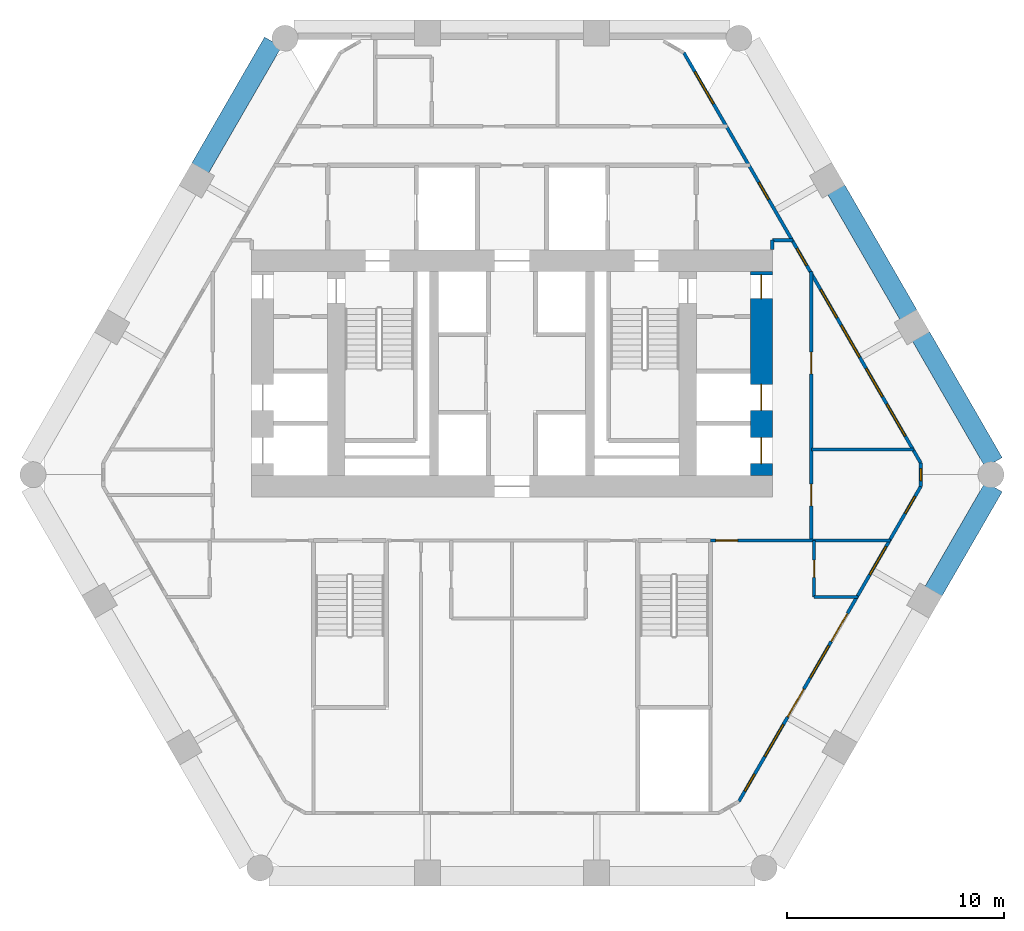
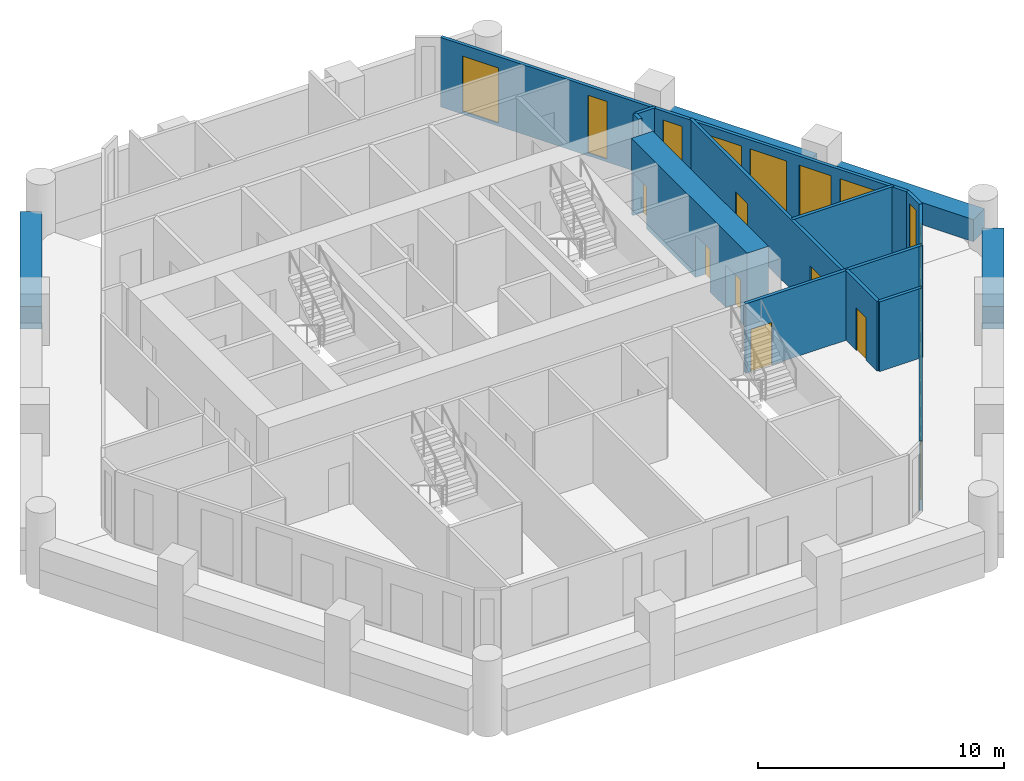
# One storey, part 5 of 7: 15 walls, 13 windows, 9 doors, 22 openings.
"""IFC4 building model written with IfcOpenShell, lengths in metres."""

from ifc_helpers import new_model, si_unit, direction, frame, frame_2d, origin, place, context, subcontext, project, spatial, rectangle, extrude, material, layer, layer_set, type_object, element, fill, save


model = new_model("IFC4")

# Units and contexts
model_context = context("Model", 3, precision=1e-05, world=origin(), true_north=direction((0.0, 1.0)))
body_context = subcontext(model_context, "Body", "Model", "MODEL_VIEW")
ifc_project = project(units=[si_unit("LENGTHUNIT", "METRE"), si_unit("AREAUNIT", "SQUARE_METRE"), si_unit("VOLUMEUNIT", "CUBIC_METRE"), si_unit("PLANEANGLEUNIT", "RADIAN"), si_unit("MASSUNIT", "GRAM", prefix="KILO")], contexts=[model_context])

# Site, building, storey
site_placement = place(None, origin())
site = spatial("IfcSite", under=ifc_project, at=site_placement, CompositionType="ELEMENT")
building_placement = place(site_placement, origin())
building = spatial("IfcBuilding", under=site, at=building_placement, Name="Ostrander Bayou Hotel Tower", CompositionType="ELEMENT")
storey_placement = place(building_placement, frame((0.0, 0.0, 119.75)))
storey = spatial("IfcBuildingStorey", under=building, at=storey_placement, Name="L29", CompositionType="ELEMENT", Elevation=119.75)

# Wall, openings, doors
ifc_material_1 = material(Name="Concrete f'c 70 MPa", Category="concrete")
ifc_layer_1 = layer(ifc_material_1, 1.0)
ifc_layer_set_1 = layer_set([ifc_layer_1], Name="CW4 core wall 1000 mm f'c 70 MPa")
wall_type_1 = type_object("IfcWallType", Name="CW4 core wall 1000 mm f'c 70 MPa", PredefinedType="SHEAR", material=ifc_layer_set_1)
wall_1_placement = place(storey_placement, frame((11.5, -0.699951171875, -0.300048828125), z_axis=(0.0, 0.0, 1.0), x_axis=(0.0, 1.0, 0.0)))
wall_1 = element("IfcWall", 1, at=wall_1_placement, inside=storey, type_object=wall_type_1, Name="CW4 L29 RE", PredefinedType="SHEAR", context=body_context, shape_type="SweptSolid", body=[
    extrude(rectangle(XDim=9.39990234375, YDim=1.0, at=frame_2d((4.699951171875, 0.0))), origin(), (0.0, 0.0, 1.0), 3.75),
])
opening_1_placement = place(wall_1_placement, frame((8.14990234375, 0.0, 0.0)))
opening_1 = element("IfcOpeningElement", 2, at=opening_1_placement, cuts=wall_1, Name="Opening T28-020", PredefinedType="OPENING", context=body_context, shape_type="SweptSolid", body=[
    extrude(rectangle(XDim=1.10009765625, YDim=2.10009765625, at=frame_2d((0.550048828125, 1.050048828125))), frame((0.0, 0.5, 0.0), z_axis=(0.0, -1.0, 0.0), x_axis=(1.0, 0.0, 0.0)), (0.0, 0.0, 1.0), 1.0),
])
opening_2_placement = place(wall_1_placement, frame((0.550048828125, 0.0, 0.0)))
opening_2 = element("IfcOpeningElement", 3, at=opening_2_placement, cuts=wall_1, Name="Opening T28-021", PredefinedType="OPENING", context=body_context, shape_type="SweptSolid", body=[
    extrude(rectangle(XDim=1.199951171875, YDim=2.10009765625, at=frame_2d((0.60009765625, 1.050048828125))), frame((0.0, 0.5, 0.0), z_axis=(0.0, -1.0, 0.0), x_axis=(1.0, 0.0, 0.0)), (0.0, 0.0, 1.0), 1.0),
])
opening_3_placement = place(wall_1_placement, frame((3.0, 0.0, 0.0)))
opening_3 = element("IfcOpeningElement", 4, at=opening_3_placement, cuts=wall_1, Name="Opening T28-022", PredefinedType="OPENING", context=body_context, shape_type="SweptSolid", body=[
    extrude(rectangle(XDim=1.199951171875, YDim=2.10009765625, at=frame_2d((0.60009765625, 1.050048828125))), frame((0.0, 0.5, 0.0), z_axis=(0.0, -1.0, 0.0), x_axis=(1.0, 0.0, 0.0)), (0.0, 0.0, 1.0), 1.0),
])
ifc_material_2 = material(Name="Timber door leaf", Category="wood")
door_type_1 = type_object("IfcDoorType", Name="D5 stair door 1100 x 2100 mm, 90 minute", OperationType="SINGLE_SWING_LEFT", PredefinedType="DOOR", material=ifc_material_2)
door_1_placement = place(opening_1_placement, origin())
door_1 = element("IfcDoor", 5, at=door_1_placement, inside=storey, type_object=door_type_1, Name="dr:L29:020", OperationType="SINGLE_SWING_RIGHT", OverallHeight=2.10009765625, OverallWidth=1.10009765625, PredefinedType="DOOR", context=body_context, shape_type="SweptSolid", body=[
    extrude(rectangle(XDim=1.10009765625, YDim=2.10009765625, at=frame_2d((0.550048828125, 1.050048828125))), frame((0.0, 0.02490234375, 0.0), z_axis=(0.0, -1.0, 0.0), x_axis=(1.0, 0.0, 0.0)), (0.0, 0.0, 1.0), 0.050048828125),
])
fill(opening_1, door_1)
ifc_material_3 = material(Name="Stainless steel sliding door", Category="steel")
door_type_2 = type_object("IfcDoorType", Name="LD1 lift landing door 1200 x 2100 mm", OperationType="SINGLE_SWING_LEFT", PredefinedType="DOOR", material=ifc_material_3)
door_2_placement = place(opening_2_placement, origin())
door_2 = element("IfcDoor", 6, at=door_2_placement, inside=storey, type_object=door_type_2, Name="dr:L29:021", OperationType="SLIDING_TO_LEFT", OverallHeight=2.10009765625, OverallWidth=1.199951171875, PredefinedType="DOOR", context=body_context, shape_type="SweptSolid", body=[
    extrude(rectangle(XDim=1.199951171875, YDim=2.10009765625, at=frame_2d((0.60009765625, 1.050048828125))), frame((0.0, 0.02490234375, 0.0), z_axis=(0.0, -1.0, 0.0), x_axis=(1.0, 0.0, 0.0)), (0.0, 0.0, 1.0), 0.050048828125),
])
fill(opening_2, door_2)
door_3_placement = place(opening_3_placement, origin())
door_3 = element("IfcDoor", 7, at=door_3_placement, inside=storey, type_object=door_type_2, Name="dr:L29:022", OperationType="SLIDING_TO_LEFT", OverallHeight=2.10009765625, OverallWidth=1.199951171875, PredefinedType="DOOR", context=body_context, shape_type="SweptSolid", body=[
    extrude(rectangle(XDim=1.199951171875, YDim=2.10009765625, at=frame_2d((0.60009765625, 1.050048828125))), frame((0.0, 0.02490234375, 0.0), z_axis=(0.0, -1.0, 0.0), x_axis=(1.0, 0.0, 0.0)), (0.0, 0.0, 1.0), 0.050048828125),
])
fill(opening_3, door_3)

# Wall, openings, doors, windows
ifc_material_4 = material(Name="Aluminium framed insulated wall", Category="aluminium")
ifc_layer_2 = layer(ifc_material_4, 0.14990234375)
ifc_layer_set_2 = layer_set([ifc_layer_2], Name="GW1 glass-line wall 150 mm")
wall_type_2 = type_object("IfcWallType", Name="GW1 glass-line wall 150 mm", PredefinedType="SOLIDWALL", material=ifc_layer_set_2)
wall_2_placement = place(storey_placement, frame((10.46337890625, -15.72705078125, 0.0), z_axis=(0.0, 0.0, 1.0), x_axis=(0.499992448691, 0.866029763491, 0.0)))
wall_2 = element("IfcWall", 8, at=wall_2_placement, inside=storey, type_object=wall_type_2, Name="GW1 L29 SE 1", PredefinedType="SOLIDWALL", context=body_context, shape_type="SweptSolid", body=[
    extrude(rectangle(XDim=16.776611328125, YDim=0.14990234375, at=frame_2d((8.38818359375, 0.0))), origin(), (0.0, 0.0, 1.0), 3.449951171875),
])
opening_4_placement = place(wall_2_placement, frame((2.38818359375, 0.0, 0.14990234375)))
opening_4 = element("IfcOpeningElement", 9, at=opening_4_placement, cuts=wall_2, Name="Opening W2", PredefinedType="OPENING", context=body_context, shape_type="SweptSolid", body=[
    extrude(rectangle(XDim=1.699951171875, YDim=2.85009765625, at=frame_2d((0.85009765625, 1.425048828125))), frame((0.0, 0.074951171875, 0.0), z_axis=(0.0, -1.0, 0.0), x_axis=(1.0, 0.0, 0.0)), (0.0, 0.0, 1.0), 0.14990234375),
])
opening_5_placement = place(wall_2_placement, frame((4.48828125, 0.0, 0.0)))
opening_5 = element("IfcOpeningElement", 10, at=opening_5_placement, cuts=wall_2, Name="Opening T28-804", PredefinedType="OPENING", context=body_context, shape_type="SweptSolid", body=[
    extrude(rectangle(XDim=1.5, YDim=2.39990234375, at=frame_2d((0.75, 1.199951171875))), frame((0.0, 0.074951171875, 0.0), z_axis=(0.0, -1.0, 0.0), x_axis=(1.0, 0.0, 0.0)), (0.0, 0.0, 1.0), 0.14990234375),
])
opening_6_placement = place(wall_2_placement, frame((6.58837890625, 0.0, 0.14990234375)))
opening_6 = element("IfcOpeningElement", 11, at=opening_6_placement, cuts=wall_2, Name="Opening W2", PredefinedType="OPENING", context=body_context, shape_type="SweptSolid", body=[
    extrude(rectangle(XDim=1.699951171875, YDim=2.85009765625, at=frame_2d((0.85009765625, 1.425048828125))), frame((0.0, 0.074951171875, 0.0), z_axis=(0.0, -1.0, 0.0), x_axis=(1.0, 0.0, 0.0)), (0.0, 0.0, 1.0), 0.14990234375),
])
opening_7_placement = place(wall_2_placement, frame((8.51123046875, 0.0, 0.0)))
opening_7 = element("IfcOpeningElement", 12, at=opening_7_placement, cuts=wall_2, Name="Opening T28-805", PredefinedType="OPENING", context=body_context, shape_type="SweptSolid", body=[
    extrude(rectangle(XDim=1.5, YDim=2.39990234375, at=frame_2d((0.75, 1.199951171875))), frame((0.0, 0.074951171875, 0.0), z_axis=(0.0, -1.0, 0.0), x_axis=(1.0, 0.0, 0.0)), (0.0, 0.0, 1.0), 0.14990234375),
])
opening_8_placement = place(wall_2_placement, frame((12.0634765625, 0.0, 0.14990234375)))
opening_8 = element("IfcOpeningElement", 13, at=opening_8_placement, cuts=wall_2, Name="Opening W12", PredefinedType="OPENING", context=body_context, shape_type="SweptSolid", body=[
    extrude(rectangle(XDim=1.5, YDim=2.85009765625, at=frame_2d((0.75, 1.425048828125))), frame((0.0, 0.074951171875, 0.0), z_axis=(0.0, -1.0, 0.0), x_axis=(1.0, 0.0, 0.0)), (0.0, 0.0, 1.0), 0.14990234375),
])
opening_9_placement = place(wall_2_placement, frame((0.544189453125, 0.0, 0.14990234375)))
opening_9 = element("IfcOpeningElement", 14, at=opening_9_placement, cuts=wall_2, Name="Opening W16", PredefinedType="OPENING", context=body_context, shape_type="SweptSolid", body=[
    extrude(rectangle(XDim=0.89990234375, YDim=2.72998046875, at=frame_2d((0.449951171875, 1.364990234375))), frame((0.0, 0.074951171875, 0.0), z_axis=(0.0, -1.0, 0.0), x_axis=(1.0, 0.0, 0.0)), (0.0, 0.0, 1.0), 0.14990234375),
])
opening_10_placement = place(wall_2_placement, frame((15.33251953125, 0.0, 0.14990234375)))
opening_10 = element("IfcOpeningElement", 15, at=opening_10_placement, cuts=wall_2, Name="Opening W16", PredefinedType="OPENING", context=body_context, shape_type="SweptSolid", body=[
    extrude(rectangle(XDim=0.89990234375, YDim=2.72998046875, at=frame_2d((0.449951171875, 1.364990234375))), frame((0.0, 0.074951171875, 0.0), z_axis=(0.0, -1.0, 0.0), x_axis=(1.0, 0.0, 0.0)), (0.0, 0.0, 1.0), 0.14990234375),
])
ifc_material_5 = material(Name="Aluminium and clear glass", Category="aluminium")
door_type_3 = type_object("IfcDoorType", Name="SD2 sliding glass door 1500 mm, zone 2", OperationType="SLIDING_TO_LEFT", PredefinedType="DOOR", material=ifc_material_5)
door_4_placement = place(opening_5_placement, origin())
door_4 = element("IfcDoor", 16, at=door_4_placement, inside=storey, type_object=door_type_3, Name="SD2 L29 SE 1", OperationType="SLIDING_TO_LEFT", OverallHeight=2.39990234375, OverallWidth=1.5, PredefinedType="DOOR", context=body_context, shape_type="SweptSolid", body=[
    extrude(rectangle(XDim=1.5, YDim=2.39990234375, at=frame_2d((0.75, 1.199951171875))), frame((0.0, 0.02490234375, 0.0), z_axis=(0.0, -1.0, 0.0), x_axis=(1.0, 0.0, 0.0)), (0.0, 0.0, 1.0), 0.050048828125),
])
fill(opening_5, door_4)
door_5_placement = place(opening_7_placement, origin())
door_5 = element("IfcDoor", 17, at=door_5_placement, inside=storey, type_object=door_type_3, Name="SD2 L29 SE 2", OperationType="SLIDING_TO_RIGHT", OverallHeight=2.39990234375, OverallWidth=1.5, PredefinedType="DOOR", context=body_context, shape_type="SweptSolid", body=[
    extrude(rectangle(XDim=1.5, YDim=2.39990234375, at=frame_2d((0.75, 1.199951171875))), frame((0.0, 0.02490234375, 0.0), z_axis=(0.0, -1.0, 0.0), x_axis=(1.0, 0.0, 0.0)), (0.0, 0.0, 1.0), 0.050048828125),
])
fill(opening_7, door_5)
ifc_material_6 = material(Name="Aluminium and clear glass", Category="aluminium")
window_type_1 = type_object("IfcWindowType", Name="W12 fixed window 1500 mm, bath bay, zone 2", PartitioningType="SINGLE_PANEL", PredefinedType="WINDOW", material=ifc_material_6)
window_1_placement = place(opening_8_placement, origin())
window_1 = element("IfcWindow", 18, at=window_1_placement, inside=storey, type_object=window_type_1, Name="W12 L29 SE 3", OverallHeight=2.85009765625, OverallWidth=1.5, PartitioningType="SINGLE_PANEL", PredefinedType="WINDOW", context=body_context, shape_type="SweptSolid", body=[
    extrude(rectangle(XDim=1.5, YDim=2.85009765625, at=frame_2d((0.75, 1.425048828125))), frame((0.0, 0.030029296875, 0.0), z_axis=(0.0, -1.0, 0.0), x_axis=(1.0, 0.0, 0.0)), (0.0, 0.0, 1.0), 0.06005859375),
])
fill(opening_8, window_1)
ifc_material_7 = material(Name="Aluminium and clear glass", Category="aluminium")
window_type_2 = type_object("IfcWindowType", Name="W16 window 900 mm, zone 2", PartitioningType="SINGLE_PANEL", PredefinedType="WINDOW", material=ifc_material_7)
window_2_placement = place(opening_9_placement, origin())
window_2 = element("IfcWindow", 19, at=window_2_placement, inside=storey, type_object=window_type_2, Name="W16 L29 SE E11", OverallHeight=2.72998046875, OverallWidth=0.89990234375, PartitioningType="SINGLE_PANEL", PredefinedType="WINDOW", context=body_context, shape_type="SweptSolid", body=[
    extrude(rectangle(XDim=0.89990234375, YDim=2.72998046875, at=frame_2d((0.449951171875, 1.364990234375))), frame((0.0, 0.030029296875, 0.0), z_axis=(0.0, -1.0, 0.0), x_axis=(1.0, 0.0, 0.0)), (0.0, 0.0, 1.0), 0.06005859375),
])
fill(opening_9, window_2)
window_3_placement = place(opening_10_placement, origin())
window_3 = element("IfcWindow", 20, at=window_3_placement, inside=storey, type_object=window_type_2, Name="W16 L29 SE E21", OverallHeight=2.72998046875, OverallWidth=0.89990234375, PartitioningType="SINGLE_PANEL", PredefinedType="WINDOW", context=body_context, shape_type="SweptSolid", body=[
    extrude(rectangle(XDim=0.89990234375, YDim=2.72998046875, at=frame_2d((0.449951171875, 1.364990234375))), frame((0.0, 0.030029296875, 0.0), z_axis=(0.0, -1.0, 0.0), x_axis=(1.0, 0.0, 0.0)), (0.0, 0.0, 1.0), 0.06005859375),
])
fill(opening_10, window_3)
ifc_material_8 = material(Name="Aluminium and clear glass", Category="aluminium")
window_type_3 = type_object("IfcWindowType", Name="W2 fixed window 1700 mm, zone 2", PartitioningType="SINGLE_PANEL", PredefinedType="WINDOW", material=ifc_material_8)
window_4_placement = place(opening_4_placement, origin())
window_4 = element("IfcWindow", 21, at=window_4_placement, inside=storey, type_object=window_type_3, Name="W2 L29 SE 1", OverallHeight=2.85009765625, OverallWidth=1.699951171875, PartitioningType="SINGLE_PANEL", PredefinedType="WINDOW", context=body_context, shape_type="SweptSolid", body=[
    extrude(rectangle(XDim=1.699951171875, YDim=2.85009765625, at=frame_2d((0.85009765625, 1.425048828125))), frame((0.0, 0.030029296875, 0.0), z_axis=(0.0, -1.0, 0.0), x_axis=(1.0, 0.0, 0.0)), (0.0, 0.0, 1.0), 0.06005859375),
])
fill(opening_4, window_4)
window_5_placement = place(opening_6_placement, origin())
window_5 = element("IfcWindow", 22, at=window_5_placement, inside=storey, type_object=window_type_3, Name="W2 L29 SE 2", OverallHeight=2.85009765625, OverallWidth=1.699951171875, PartitioningType="SINGLE_PANEL", PredefinedType="WINDOW", context=body_context, shape_type="SweptSolid", body=[
    extrude(rectangle(XDim=1.699951171875, YDim=2.85009765625, at=frame_2d((0.85009765625, 1.425048828125))), frame((0.0, 0.030029296875, 0.0), z_axis=(0.0, -1.0, 0.0), x_axis=(1.0, 0.0, 0.0)), (0.0, 0.0, 1.0), 0.06005859375),
])
fill(opening_6, window_5)

# Wall, openings, windows
wall_3_placement = place(storey_placement, frame((18.8515625, -0.133056640625, 0.0), z_axis=(0.0, 0.0, 1.0), x_axis=(-0.499994842654, 0.866028381359, 0.0)))
wall_3 = element("IfcWall", 23, at=wall_3_placement, inside=storey, type_object=wall_type_2, Name="GW1 L29 NE 1", PredefinedType="SOLIDWALL", context=body_context, shape_type="SweptSolid", body=[
    extrude(rectangle(XDim=21.853271484375, YDim=0.14990234375, at=frame_2d((10.9267578125, 0.0))), origin(), (0.0, 0.0, 1.0), 3.449951171875),
])
opening_11_placement = place(wall_3_placement, frame((1.44091796875, 0.0, 0.14990234375)))
opening_11 = element("IfcOpeningElement", 24, at=opening_11_placement, cuts=wall_3, Name="Opening W2", PredefinedType="OPENING", context=body_context, shape_type="SweptSolid", body=[
    extrude(rectangle(XDim=1.699951171875, YDim=2.85009765625, at=frame_2d((0.85009765625, 1.425048828125))), frame((0.0, 0.074951171875, 0.0), z_axis=(0.0, -1.0, 0.0), x_axis=(1.0, 0.0, 0.0)), (0.0, 0.0, 1.0), 0.14990234375),
])
opening_12_placement = place(wall_3_placement, frame((3.541015625, 0.0, 0.14990234375)))
opening_12 = element("IfcOpeningElement", 25, at=opening_12_placement, cuts=wall_3, Name="Opening W12", PredefinedType="OPENING", context=body_context, shape_type="SweptSolid", body=[
    extrude(rectangle(XDim=1.5, YDim=2.85009765625, at=frame_2d((0.75, 1.425048828125))), frame((0.0, 0.074951171875, 0.0), z_axis=(0.0, -1.0, 0.0), x_axis=(1.0, 0.0, 0.0)), (0.0, 0.0, 1.0), 0.14990234375),
])
opening_13_placement = place(wall_3_placement, frame((5.64111328125, 0.0, 0.14990234375)))
opening_13 = element("IfcOpeningElement", 26, at=opening_13_placement, cuts=wall_3, Name="Opening W2", PredefinedType="OPENING", context=body_context, shape_type="SweptSolid", body=[
    extrude(rectangle(XDim=1.699951171875, YDim=2.85009765625, at=frame_2d((0.85009765625, 1.425048828125))), frame((0.0, 0.074951171875, 0.0), z_axis=(0.0, -1.0, 0.0), x_axis=(1.0, 0.0, 0.0)), (0.0, 0.0, 1.0), 0.14990234375),
])
opening_14_placement = place(wall_3_placement, frame((7.740966796875, 0.0, 0.14990234375)))
opening_14 = element("IfcOpeningElement", 27, at=opening_14_placement, cuts=wall_3, Name="Opening W12", PredefinedType="OPENING", context=body_context, shape_type="SweptSolid", body=[
    extrude(rectangle(XDim=1.5, YDim=2.85009765625, at=frame_2d((0.75, 1.425048828125))), frame((0.0, 0.074951171875, 0.0), z_axis=(0.0, -1.0, 0.0), x_axis=(1.0, 0.0, 0.0)), (0.0, 0.0, 1.0), 0.14990234375),
])
opening_15_placement = place(wall_3_placement, frame((10.531494140625, 0.0, 0.14990234375)))
opening_15 = element("IfcOpeningElement", 28, at=opening_15_placement, cuts=wall_3, Name="Opening W16", PredefinedType="OPENING", context=body_context, shape_type="SweptSolid", body=[
    extrude(rectangle(XDim=0.89990234375, YDim=2.85009765625, at=frame_2d((0.449951171875, 1.425048828125))), frame((0.0, 0.074951171875, 0.0), z_axis=(0.0, -1.0, 0.0), x_axis=(1.0, 0.0, 0.0)), (0.0, 0.0, 1.0), 0.14990234375),
])
opening_16_placement = place(wall_3_placement, frame((14.041015625, 0.0, 0.14990234375)))
opening_16 = element("IfcOpeningElement", 29, at=opening_16_placement, cuts=wall_3, Name="Opening W16", PredefinedType="OPENING", context=body_context, shape_type="SweptSolid", body=[
    extrude(rectangle(XDim=0.89990234375, YDim=2.85009765625, at=frame_2d((0.449951171875, 1.425048828125))), frame((0.0, 0.074951171875, 0.0), z_axis=(0.0, -1.0, 0.0), x_axis=(1.0, 0.0, 0.0)), (0.0, 0.0, 1.0), 0.14990234375),
])
opening_17_placement = place(wall_3_placement, frame((19.131591796875, 0.0, 0.14990234375)))
opening_17 = element("IfcOpeningElement", 30, at=opening_17_placement, cuts=wall_3, Name="Opening W2", PredefinedType="OPENING", context=body_context, shape_type="SweptSolid", body=[
    extrude(rectangle(XDim=1.699951171875, YDim=2.72998046875, at=frame_2d((0.85009765625, 1.364990234375))), frame((0.0, 0.074951171875, 0.0), z_axis=(0.0, -1.0, 0.0), x_axis=(1.0, 0.0, 0.0)), (0.0, 0.0, 1.0), 0.14990234375),
])
window_6_placement = place(opening_12_placement, origin())
window_6 = element("IfcWindow", 31, at=window_6_placement, inside=storey, type_object=window_type_1, Name="W12 L29 NE 1", OverallHeight=2.85009765625, OverallWidth=1.5, PartitioningType="SINGLE_PANEL", PredefinedType="WINDOW", context=body_context, shape_type="SweptSolid", body=[
    extrude(rectangle(XDim=1.5, YDim=2.85009765625, at=frame_2d((0.75, 1.425048828125))), frame((0.0, 0.030029296875, 0.0), z_axis=(0.0, -1.0, 0.0), x_axis=(1.0, 0.0, 0.0)), (0.0, 0.0, 1.0), 0.06005859375),
])
fill(opening_12, window_6)
window_7_placement = place(opening_14_placement, origin())
window_7 = element("IfcWindow", 32, at=window_7_placement, inside=storey, type_object=window_type_1, Name="W12 L29 NE 2", OverallHeight=2.85009765625, OverallWidth=1.5, PartitioningType="SINGLE_PANEL", PredefinedType="WINDOW", context=body_context, shape_type="SweptSolid", body=[
    extrude(rectangle(XDim=1.5, YDim=2.85009765625, at=frame_2d((0.75, 1.425048828125))), frame((0.0, 0.030029296875, 0.0), z_axis=(0.0, -1.0, 0.0), x_axis=(1.0, 0.0, 0.0)), (0.0, 0.0, 1.0), 0.06005859375),
])
fill(opening_14, window_7)
window_8_placement = place(opening_15_placement, origin())
window_8 = element("IfcWindow", 33, at=window_8_placement, inside=storey, type_object=window_type_2, Name="W16 L29 NE 3", OverallHeight=2.85009765625, OverallWidth=0.89990234375, PartitioningType="SINGLE_PANEL", PredefinedType="WINDOW", context=body_context, shape_type="SweptSolid", body=[
    extrude(rectangle(XDim=0.89990234375, YDim=2.85009765625, at=frame_2d((0.449951171875, 1.425048828125))), frame((0.0, 0.030029296875, 0.0), z_axis=(0.0, -1.0, 0.0), x_axis=(1.0, 0.0, 0.0)), (0.0, 0.0, 1.0), 0.06005859375),
])
fill(opening_15, window_8)
window_9_placement = place(opening_16_placement, origin())
window_9 = element("IfcWindow", 34, at=window_9_placement, inside=storey, type_object=window_type_2, Name="W16 L29 NE 4", OverallHeight=2.85009765625, OverallWidth=0.89990234375, PartitioningType="SINGLE_PANEL", PredefinedType="WINDOW", context=body_context, shape_type="SweptSolid", body=[
    extrude(rectangle(XDim=0.89990234375, YDim=2.85009765625, at=frame_2d((0.449951171875, 1.425048828125))), frame((0.0, 0.030029296875, 0.0), z_axis=(0.0, -1.0, 0.0), x_axis=(1.0, 0.0, 0.0)), (0.0, 0.0, 1.0), 0.06005859375),
])
fill(opening_16, window_9)
window_10_placement = place(opening_11_placement, origin())
window_10 = element("IfcWindow", 35, at=window_10_placement, inside=storey, type_object=window_type_3, Name="W2 L29 NE 1", OverallHeight=2.85009765625, OverallWidth=1.699951171875, PartitioningType="SINGLE_PANEL", PredefinedType="WINDOW", context=body_context, shape_type="SweptSolid", body=[
    extrude(rectangle(XDim=1.699951171875, YDim=2.85009765625, at=frame_2d((0.85009765625, 1.425048828125))), frame((0.0, 0.030029296875, 0.0), z_axis=(0.0, -1.0, 0.0), x_axis=(1.0, 0.0, 0.0)), (0.0, 0.0, 1.0), 0.06005859375),
])
fill(opening_11, window_10)
window_11_placement = place(opening_13_placement, origin())
window_11 = element("IfcWindow", 36, at=window_11_placement, inside=storey, type_object=window_type_3, Name="W2 L29 NE 2", OverallHeight=2.85009765625, OverallWidth=1.699951171875, PartitioningType="SINGLE_PANEL", PredefinedType="WINDOW", context=body_context, shape_type="SweptSolid", body=[
    extrude(rectangle(XDim=1.699951171875, YDim=2.85009765625, at=frame_2d((0.85009765625, 1.425048828125))), frame((0.0, 0.030029296875, 0.0), z_axis=(0.0, -1.0, 0.0), x_axis=(1.0, 0.0, 0.0)), (0.0, 0.0, 1.0), 0.06005859375),
])
fill(opening_13, window_11)
window_12_placement = place(opening_17_placement, origin())
window_12 = element("IfcWindow", 37, at=window_12_placement, inside=storey, type_object=window_type_3, Name="W2 L29 NE E21", OverallHeight=2.72998046875, OverallWidth=1.699951171875, PartitioningType="SINGLE_PANEL", PredefinedType="WINDOW", context=body_context, shape_type="SweptSolid", body=[
    extrude(rectangle(XDim=1.699951171875, YDim=2.72998046875, at=frame_2d((0.85009765625, 1.364990234375))), frame((0.0, 0.030029296875, 0.0), z_axis=(0.0, -1.0, 0.0), x_axis=(1.0, 0.0, 0.0)), (0.0, 0.0, 1.0), 0.06005859375),
])
fill(opening_17, window_12)

# Wall, opening, window
wall_4_placement = place(storey_placement, frame((18.8515625, -1.197998046875, 0.0), z_axis=(0.0, 0.0, 1.0), x_axis=(0.0, 1.0, 0.0)))
wall_4 = element("IfcWall", 38, at=wall_4_placement, inside=storey, type_object=wall_type_2, Name="GW1 L29 corner 5", PredefinedType="SOLIDWALL", context=body_context, shape_type="SweptSolid", body=[
    extrude(rectangle(XDim=1.06494140625, YDim=0.14990234375, at=frame_2d((0.532470703125, 0.0))), origin(), (0.0, 0.0, 1.0), 3.449951171875),
])
opening_18_placement = place(wall_4_placement, frame((0.257568359375, 0.0, 0.14990234375)))
opening_18 = element("IfcOpeningElement", 39, at=opening_18_placement, cuts=wall_4, Name="Opening W19", PredefinedType="OPENING", context=body_context, shape_type="SweptSolid", body=[
    extrude(rectangle(XDim=0.550048828125, YDim=2.85009765625, at=frame_2d((0.27490234375, 1.425048828125))), frame((0.0, 0.074951171875, 0.0), z_axis=(0.0, -1.0, 0.0), x_axis=(1.0, 0.0, 0.0)), (0.0, 0.0, 1.0), 0.14990234375),
])
ifc_material_9 = material(Name="Aluminium and clear glass", Category="aluminium")
window_type_4 = type_object("IfcWindowType", Name="W19 corner window 550 mm", PartitioningType="SINGLE_PANEL", PredefinedType="WINDOW", material=ifc_material_9)
window_13_placement = place(opening_18_placement, origin())
window_13 = element("IfcWindow", 40, at=window_13_placement, inside=storey, type_object=window_type_4, Name="W19 L29 corner 5", OverallHeight=2.85009765625, OverallWidth=0.550048828125, PartitioningType="SINGLE_PANEL", PredefinedType="WINDOW", context=body_context, shape_type="SweptSolid", body=[
    extrude(rectangle(XDim=0.550048828125, YDim=2.85009765625, at=frame_2d((0.27490234375, 1.425048828125))), frame((0.0, 0.030029296875, 0.0), z_axis=(0.0, -1.0, 0.0), x_axis=(1.0, 0.0, 0.0)), (0.0, 0.0, 1.0), 0.06005859375),
])
fill(opening_18, window_13)

# Walls
ifc_material_10 = material(Name="Concrete f'c 40 MPa", Category="concrete")
ifc_layer_3 = layer(ifc_material_10, 0.89990234375)
ifc_layer_set_3 = layer_set([ifc_layer_3], Name="PA1 stone-faced parapet 900 mm")
wall_type_3 = type_object("IfcWallType", Name="PA1 stone-faced parapet 900 mm", PredefinedType="PARAPET", material=ifc_layer_set_3)
for number, where, z_axis, x_axis, name in (
    (41, (-11.017333984375, 19.286376953125, 0.0), (0.0, 0.0, 1.0), (-0.500012951941, -0.866017925849, 0.0), "PA1 L29 NW-1"),
    (42, (22.211181640625, -0.101806640625, 0.0), (0.0, 0.0, 1.0), (-0.500012951941, 0.866017925849, 0.0), "PA1 L29 NE-1"),
):
    element("IfcWall", number, at=place(storey_placement, frame(where, z_axis=z_axis, x_axis=x_axis)), inside=storey, type_object=wall_type_3, Name=name, PredefinedType="PARAPET", context=body_context, shape_type="SweptSolid", body=[
        extrude(rectangle(XDim=6.717041015625, YDim=0.89990234375, at=frame_2d((3.3583984375, 0.0))), origin(), (0.0, 0.0, 1.0), 1.10009765625),
    ])
wall_5_placement = place(storey_placement, frame((18.28271484375, 6.702392578125, 0.0), z_axis=(0.0, 0.0, 1.0), x_axis=(-0.50001062018, 0.866019272134, 0.0)))
element("IfcWall", 43, at=wall_5_placement, inside=storey, type_object=wall_type_3, Name="PA1 L29 NE-2", PredefinedType="PARAPET", context=body_context, shape_type="SweptSolid", body=[
    extrude(rectangle(XDim=6.673583984375, YDim=0.89990234375, at=frame_2d((3.3369140625, 0.0))), origin(), (0.0, 0.0, 1.0), 1.10009765625),
])
ifc_material_11 = material(Name="Limestone masonry", Category="masonry")
ifc_layer_4 = layer(ifc_material_11, 0.89990234375)
ifc_layer_set_4 = layer_set([ifc_layer_4], Name="PA2 limestone parapet 900 mm")
wall_type_4 = type_object("IfcWallType", Name="PA2 limestone parapet 900 mm", PredefinedType="PARAPET", material=ifc_layer_set_4)
wall_6_placement = place(storey_placement, frame((19.428955078125, -6.048095703125, 0.0), z_axis=(0.0, 0.0, 1.0), x_axis=(0.49998957009, 0.866031425412, 0.0)))
element("IfcWall", 44, at=wall_6_placement, inside=storey, type_object=wall_type_4, Name="PA2 L29 SE-3", PredefinedType="PARAPET", context=body_context, shape_type="SweptSolid", body=[
    extrude(rectangle(XDim=5.564453125, YDim=0.89990234375, at=frame_2d((2.7822265625, 0.0))), origin(), (0.0, 0.0, 1.0), 1.10009765625),
])
ifc_material_12 = material(Name="Gypsum board partition", Category="finish")
ifc_layer_5 = layer(ifc_material_12, 0.14990234375)
ifc_layer_set_5 = layer_set([ifc_layer_5], Name="PT8 service band wall 150 mm, 1 hour")
wall_type_5 = type_object("IfcWallType", Name="PT8 service band wall 150 mm, 1 hour", PredefinedType="PARTITIONING", material=ifc_layer_set_5)
wall_7_placement = place(storey_placement, frame((13.929931640625, -6.300048828125, 0.0), z_axis=(0.0, 0.0, 1.0), x_axis=(1.0, 0.0, 0.0)))
element("IfcWall", 45, at=wall_7_placement, inside=storey, type_object=wall_type_5, Name="gw:L29:003", PredefinedType="PARTITIONING", context=body_context, shape_type="SweptSolid", body=[
    extrude(rectangle(XDim=2.028076171875, YDim=0.14990234375, at=frame_2d((1.01416015625, 0.0))), origin(), (0.0, 0.0, 1.0), 3.449951171875),
])

# Wall, opening, door
wall_8_placement = place(storey_placement, frame((9.159912109375, -3.699951171875, 0.0), z_axis=(0.0, 0.0, 1.0), x_axis=(1.0, 0.0, 0.0)))
wall_8 = element("IfcWall", 46, at=wall_8_placement, inside=storey, type_object=wall_type_5, Name="gw:L29:006", PredefinedType="PARTITIONING", context=body_context, shape_type="SweptSolid", body=[
    extrude(rectangle(XDim=8.299072265625, YDim=0.14990234375, at=frame_2d((4.1494140625, 0.0))), origin(), (0.0, 0.0, 1.0), 3.449951171875),
])
opening_19_placement = place(wall_8_placement, frame((0.239990234375, 0.0, 0.0)))
opening_19 = element("IfcOpeningElement", 47, at=opening_19_placement, cuts=wall_8, Name="Opening T28-407", PredefinedType="OPENING", context=body_context, shape_type="SweptSolid", body=[
    extrude(rectangle(XDim=1.0, YDim=2.10009765625, at=frame_2d((0.5, 1.050048828125))), frame((0.0, 0.074951171875, 0.0), z_axis=(0.0, -1.0, 0.0), x_axis=(1.0, 0.0, 0.0)), (0.0, 0.0, 1.0), 0.14990234375),
])
ifc_material_13 = material(Name="Timber door leaf", Category="wood")
door_type_4 = type_object("IfcDoorType", Name="D1 guest room door 1000 x 2100 mm, 30 minute", OperationType="SINGLE_SWING_LEFT", PredefinedType="DOOR", material=ifc_material_13)
door_6_placement = place(opening_19_placement, origin())
door_6 = element("IfcDoor", 48, at=door_6_placement, inside=storey, type_object=door_type_4, Name="dr:L29:407", OperationType="SINGLE_SWING_LEFT", OverallHeight=2.10009765625, OverallWidth=1.0, PredefinedType="DOOR", context=body_context, shape_type="SweptSolid", body=[
    extrude(rectangle(XDim=1.0, YDim=2.10009765625, at=frame_2d((0.5, 1.050048828125))), frame((0.0, 0.02490234375, 0.0), z_axis=(0.0, -1.0, 0.0), x_axis=(1.0, 0.0, 0.0)), (0.0, 0.0, 1.0), 0.050048828125),
])
fill(opening_19, door_6)

# Walls
wall_9_placement = place(storey_placement, frame((13.800048828125, 0.5, 0.0), z_axis=(0.0, 0.0, 1.0), x_axis=(1.0, 0.0, 0.0)))
element("IfcWall", 49, at=wall_9_placement, inside=storey, type_object=wall_type_5, Name="gw:L29:009", PredefinedType="PARTITIONING", context=body_context, shape_type="SweptSolid", body=[
    extrude(rectangle(XDim=4.738037109375, YDim=0.14990234375, at=frame_2d((2.369140625, 0.0))), origin(), (0.0, 0.0, 1.0), 3.449951171875),
])
wall_10_placement = place(storey_placement, frame((12.0, 10.14990234375, 0.0), z_axis=(0.0, 0.0, 1.0), x_axis=(1.0, 0.0, 0.0)))
element("IfcWall", 50, at=wall_10_placement, inside=storey, type_object=wall_type_5, Name="gw:L29:011", PredefinedType="PARTITIONING", context=body_context, shape_type="SweptSolid", body=[
    extrude(rectangle(XDim=0.967041015625, YDim=0.14990234375, at=frame_2d((0.4833984375, 0.0))), origin(), (0.0, 0.0, 1.0), 3.449951171875),
])

# Wall, opening, door
wall_11_placement = place(storey_placement, frame((13.929931640625, -6.300048828125, 0.0), z_axis=(0.0, 0.0, 1.0), x_axis=(0.0, 1.0, 0.0)))
wall_11 = element("IfcWall", 51, at=wall_11_placement, inside=storey, type_object=wall_type_5, Name="gw:L29:016", PredefinedType="PARTITIONING", context=body_context, shape_type="SweptSolid", body=[
    extrude(rectangle(XDim=2.60009765625, YDim=0.14990234375, at=frame_2d((1.300048828125, 0.0))), origin(), (0.0, 0.0, 1.0), 3.449951171875),
])
opening_20_placement = place(wall_11_placement, frame((0.89990234375, 0.0, 0.0)))
opening_20 = element("IfcOpeningElement", 52, at=opening_20_placement, cuts=wall_11, Name="Opening T28-408", PredefinedType="OPENING", context=body_context, shape_type="SweptSolid", body=[
    extrude(rectangle(XDim=0.800048828125, YDim=2.10009765625, at=frame_2d((0.39990234375, 1.050048828125))), frame((0.0, 0.074951171875, 0.0), z_axis=(0.0, -1.0, 0.0), x_axis=(1.0, 0.0, 0.0)), (0.0, 0.0, 1.0), 0.14990234375),
])
ifc_material_14 = material(Name="Timber door leaf", Category="wood")
door_type_5 = type_object("IfcDoorType", Name="D2 bathroom door 800 x 2100 mm", OperationType="SINGLE_SWING_LEFT", PredefinedType="DOOR", material=ifc_material_14)
door_7_placement = place(opening_20_placement, origin())
door_7 = element("IfcDoor", 53, at=door_7_placement, inside=storey, type_object=door_type_5, Name="dr:L29:408", OperationType="SINGLE_SWING_RIGHT", OverallHeight=2.10009765625, OverallWidth=0.800048828125, PredefinedType="DOOR", context=body_context, shape_type="SweptSolid", body=[
    extrude(rectangle(XDim=0.800048828125, YDim=2.10009765625, at=frame_2d((0.39990234375, 1.050048828125))), frame((0.0, 0.02490234375, 0.0), z_axis=(0.0, -1.0, 0.0), x_axis=(1.0, 0.0, 0.0)), (0.0, 0.0, 1.0), 0.050048828125),
])
fill(opening_20, door_7)

# Wall, openings, doors
wall_12_placement = place(storey_placement, frame((13.800048828125, -3.699951171875, 0.0), z_axis=(0.0, 0.0, 1.0), x_axis=(0.0, 1.0, 0.0)))
wall_12 = element("IfcWall", 54, at=wall_12_placement, inside=storey, type_object=wall_type_5, Name="gw:L29:017", PredefinedType="PARTITIONING", context=body_context, shape_type="SweptSolid", body=[
    extrude(rectangle(XDim=12.406982421875, YDim=0.14990234375, at=frame_2d((6.20361328125, 0.0))), origin(), (0.0, 0.0, 1.0), 3.449951171875),
])
opening_21_placement = place(wall_12_placement, frame((1.60009765625, 0.0, 0.0)))
opening_21 = element("IfcOpeningElement", 55, at=opening_21_placement, cuts=wall_12, Name="Opening T28-412", PredefinedType="OPENING", context=body_context, shape_type="SweptSolid", body=[
    extrude(rectangle(XDim=1.0, YDim=2.10009765625, at=frame_2d((0.5, 1.050048828125))), frame((0.0, 0.074951171875, 0.0), z_axis=(0.0, -1.0, 0.0), x_axis=(1.0, 0.0, 0.0)), (0.0, 0.0, 1.0), 0.14990234375),
])
opening_22_placement = place(wall_12_placement, frame((7.68310546875, 0.0, 0.0)))
opening_22 = element("IfcOpeningElement", 56, at=opening_22_placement, cuts=wall_12, Name="Opening T28-413", PredefinedType="OPENING", context=body_context, shape_type="SweptSolid", body=[
    extrude(rectangle(XDim=1.0, YDim=2.10009765625, at=frame_2d((0.5, 1.050048828125))), frame((0.0, 0.074951171875, 0.0), z_axis=(0.0, -1.0, 0.0), x_axis=(1.0, 0.0, 0.0)), (0.0, 0.0, 1.0), 0.14990234375),
])
ifc_material_15 = material(Name="Timber door leaf", Category="wood")
door_type_6 = type_object("IfcDoorType", Name="D9 service door 1000 x 2100 mm, 30 minute", OperationType="SINGLE_SWING_LEFT", PredefinedType="DOOR", material=ifc_material_15)
door_8_placement = place(opening_21_placement, origin())
door_8 = element("IfcDoor", 57, at=door_8_placement, inside=storey, type_object=door_type_6, Name="dr:L29:412", OperationType="SINGLE_SWING_LEFT", OverallHeight=2.10009765625, OverallWidth=1.0, PredefinedType="DOOR", context=body_context, shape_type="SweptSolid", body=[
    extrude(rectangle(XDim=1.0, YDim=2.10009765625, at=frame_2d((0.5, 1.050048828125))), frame((0.0, 0.02490234375, 0.0), z_axis=(0.0, -1.0, 0.0), x_axis=(1.0, 0.0, 0.0)), (0.0, 0.0, 1.0), 0.050048828125),
])
fill(opening_21, door_8)
door_9_placement = place(opening_22_placement, origin())
door_9 = element("IfcDoor", 58, at=door_9_placement, inside=storey, type_object=door_type_6, Name="dr:L29:413", OperationType="SINGLE_SWING_LEFT", OverallHeight=2.10009765625, OverallWidth=1.0, PredefinedType="DOOR", context=body_context, shape_type="SweptSolid", body=[
    extrude(rectangle(XDim=1.0, YDim=2.10009765625, at=frame_2d((0.5, 1.050048828125))), frame((0.0, 0.02490234375, 0.0), z_axis=(0.0, -1.0, 0.0), x_axis=(1.0, 0.0, 0.0)), (0.0, 0.0, 1.0), 0.050048828125),
])
fill(opening_22, door_9)

# Wall
wall_13_placement = place(storey_placement, frame((12.0, 9.7099609375, 0.0), z_axis=(0.0, 0.0, 1.0), x_axis=(0.0, 1.0, 0.0)))
element("IfcWall", 59, at=wall_13_placement, inside=storey, type_object=wall_type_5, Name="gw:L29:018", PredefinedType="PARTITIONING", context=body_context, shape_type="SweptSolid", body=[
    extrude(rectangle(XDim=0.43994140625, YDim=0.14990234375, at=frame_2d((0.219970703125, 0.0))), origin(), (0.0, 0.0, 1.0), 3.449951171875),
])

save(model, "model.ifc")
